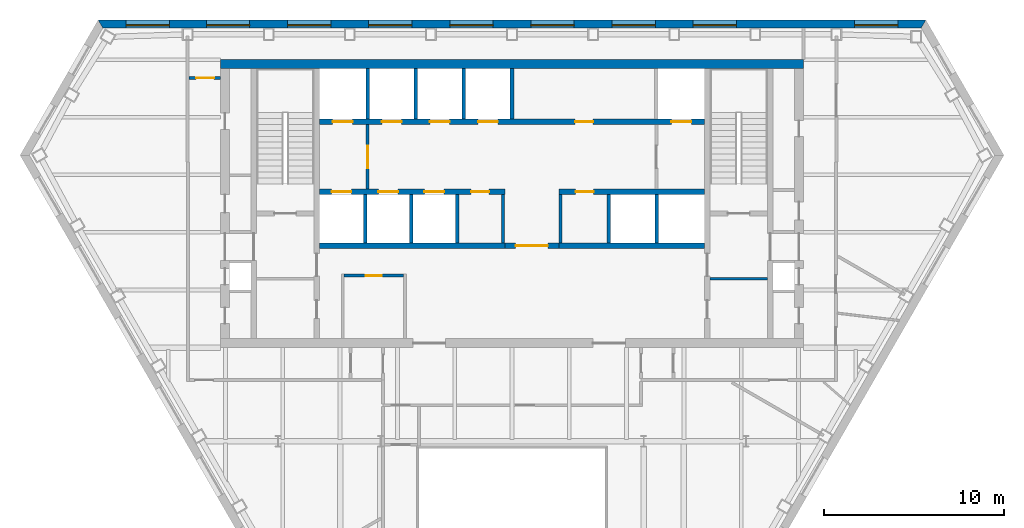
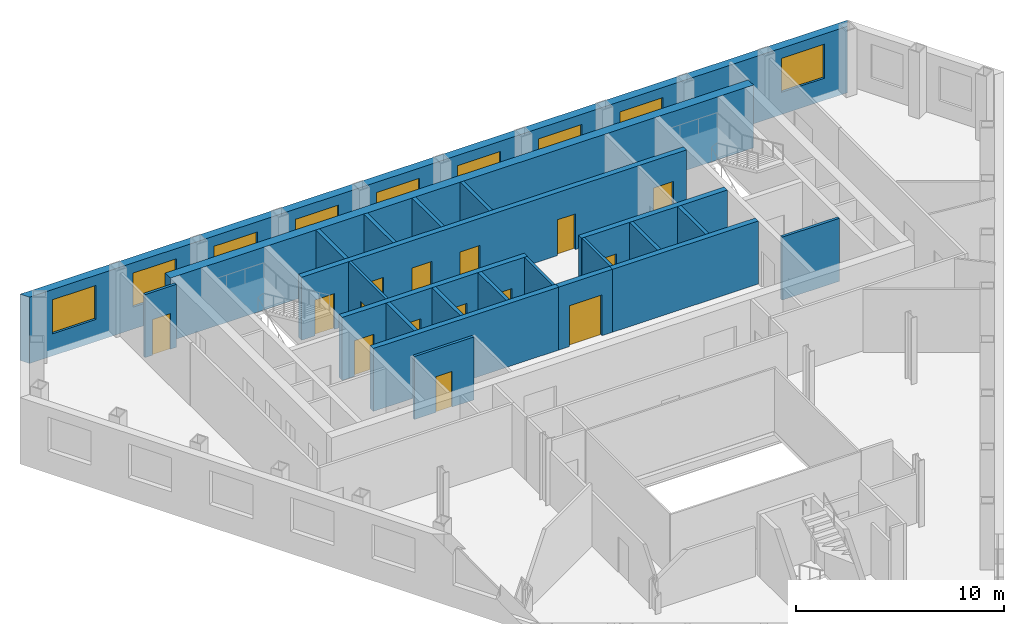
# One storey, part 6 of 10: 23 walls, 15 doors, 9 windows, 24 openings.
"""IFC4 building model written with IfcOpenShell, lengths in metres."""

from ifc_helpers import new_model, si_unit, direction, frame, frame_2d, origin, place, context, subcontext, project, spatial, polyline, rectangle, outline, extrude, material, layer, layer_set, type_object, element, fill, save


model = new_model("IFC4")

# Units and contexts
model_context = context("Model", 3, precision=1e-05, world=origin(), true_north=direction((0.0, 1.0)))
body_context = subcontext(model_context, "Body", "Model", "MODEL_VIEW")
ifc_project = project(units=[si_unit("LENGTHUNIT", "METRE"), si_unit("AREAUNIT", "SQUARE_METRE"), si_unit("VOLUMEUNIT", "CUBIC_METRE"), si_unit("PLANEANGLEUNIT", "RADIAN"), si_unit("MASSUNIT", "GRAM", prefix="KILO")], contexts=[model_context])

# Site, building, storey
site_placement = place(None, origin())
site = spatial("IfcSite", under=ifc_project, at=site_placement, CompositionType="ELEMENT")
building_placement = place(site_placement, origin())
building = spatial("IfcBuilding", under=site, at=building_placement, Name="Njiva Tower", CompositionType="ELEMENT")
storey_placement = place(building_placement, frame((0.0, 0.0, 155.4)))
storey = spatial("IfcBuildingStorey", under=building, at=storey_placement, Name="L33", CompositionType="ELEMENT", Elevation=155.4)

# Walls
ifc_material_1 = material(Name="Blockwork", Category="masonry")
ifc_layer_1 = layer(ifc_material_1, 0.15)
ifc_layer_set_1 = layer_set([ifc_layer_1], Name="Blockwork")
wall_type_1 = type_object("IfcWallType", Name="WT1 Compartment partition 150", PredefinedType="PARTITIONING", material=ifc_layer_set_1)
for number, where, z_axis, x_axis, name in (
    (1, (-0.5, 7.8, 0.0), (0.0, 0.0, 1.0), (0.0, 1.0, 0.0), "Partition CS4"),
    (2, (2.7, 7.8, 0.0), (0.0, 0.0, 1.0), (0.0, 1.0, 0.0), "Partition CS5"),
):
    element("IfcWall", number, at=place(storey_placement, frame(where, z_axis=z_axis, x_axis=x_axis)), inside=storey, type_object=wall_type_1, Name=name, PredefinedType="PARTITIONING", context=body_context, shape_type="SweptSolid", body=[
        extrude(rectangle(XDim=2.7, YDim=0.15, at=frame_2d((1.35, 0.0))), origin(), (0.0, 0.0, 1.0), 3.7),
    ])
wall_1_placement = place(storey_placement, frame((11.0, 5.825, 0.0), z_axis=(0.0, 0.0, 1.0), x_axis=(1.0, 0.0, 0.0)))
element("IfcWall", 3, at=wall_1_placement, inside=storey, type_object=wall_type_1, Name="Room wall B", PredefinedType="PARTITIONING", context=body_context, shape_type="SweptSolid", body=[
    extrude(rectangle(XDim=3.2, YDim=0.15, at=frame_2d((1.6, 0.0))), origin(), (0.0, 0.0, 1.0), 3.7),
])

# Wall, opening, door
wall_2_placement = place(storey_placement, frame((-9.325, 6.0, 0.0), z_axis=(0.0, 0.0, 1.0), x_axis=(1.0, 0.0, 0.0)))
wall_2 = element("IfcWall", 4, at=wall_2_placement, inside=storey, type_object=wall_type_1, Name="Information office wall north", PredefinedType="PARTITIONING", context=body_context, shape_type="SweptSolid", body=[
    extrude(rectangle(XDim=3.3, YDim=0.15, at=frame_2d((1.65, 0.0))), origin(), (0.0, 0.0, 1.0), 3.7),
])
opening_1_placement = place(wall_2_placement, frame((1.2, 0.0, 0.0)))
opening_1 = element("IfcOpeningElement", 5, at=opening_1_placement, cuts=wall_2, Name="Opening S11-D932", PredefinedType="OPENING", context=body_context, shape_type="SweptSolid", body=[
    extrude(rectangle(XDim=0.9, YDim=2.1, at=frame_2d((0.45, 1.05))), frame((0.0, 0.085, 0.0), z_axis=(0.0, -1.0, 0.0), x_axis=(1.0, 0.0, 0.0)), (0.0, 0.0, 1.0), 0.17),
])
ifc_material_2 = material(Name="Steel fire door, painted", Category="steel")
door_type_1 = type_object("IfcDoorType", Name="D6 Fire-rated door 900x2100", OperationType="SINGLE_SWING_LEFT", PredefinedType="DOOR", material=ifc_material_2)
door_1_placement = place(opening_1_placement, origin())
door_1 = element("IfcDoor", 6, at=door_1_placement, inside=storey, type_object=door_type_1, Name="Information office door", OperationType="SINGLE_SWING_RIGHT", OverallHeight=2.1, OverallWidth=0.9, PredefinedType="DOOR", context=body_context, shape_type="SweptSolid", body=[
    extrude(rectangle(XDim=0.9, YDim=2.1, at=frame_2d((0.45, 1.05))), frame((0.0, 0.025, 0.0), z_axis=(0.0, -1.0, 0.0), x_axis=(1.0, 0.0, 0.0)), (0.0, 0.0, 1.0), 0.05),
])
fill(opening_1, door_1)

# Wall
ifc_material_3 = material(Name="Concrete C60/75", Category="concrete")
ifc_layer_2 = layer(ifc_material_3, 0.5)
ifc_layer_set_2 = layer_set([ifc_layer_2], Name="Concrete C60/75")
wall_type_2 = type_object("IfcWallType", Name="WT13 Core wall 500", PredefinedType="SHEAR", material=ifc_layer_set_2)
wall_3_placement = place(storey_placement, frame((-16.2, 17.75, 0.0), z_axis=(0.0, 0.0, 1.0), x_axis=(1.0, 0.0, 0.0)))
element("IfcWall", 7, at=wall_3_placement, inside=storey, type_object=wall_type_2, Name="Core wall north", PredefinedType="SHEAR", context=body_context, shape_type="SweptSolid", body=[
    extrude(rectangle(XDim=32.4, YDim=0.5, at=frame_2d((16.2, 0.0))), origin(), (0.0, 0.0, 1.0), 3.7),
])

# Wall, opening, door
ifc_layer_3 = layer(ifc_material_1, 0.15)
ifc_layer_set_3 = layer_set([ifc_layer_3], Name="Blockwork")
wall_type_3 = type_object("IfcWallType", Name="WT2 Lobby partition 150", PredefinedType="PARTITIONING", material=ifc_layer_set_3)
wall_4_placement = place(storey_placement, frame((-8.025, 10.8, 0.0), z_axis=(0.0, 0.0, 1.0), x_axis=(0.0, 1.0, 0.0)))
wall_4 = element("IfcWall", 8, at=wall_4_placement, inside=storey, type_object=wall_type_3, Name="Firefighting lobby wall A", PredefinedType="PARTITIONING", context=body_context, shape_type="SweptSolid", body=[
    extrude(rectangle(XDim=3.6, YDim=0.15, at=frame_2d((1.8, 0.0))), origin(), (0.0, 0.0, 1.0), 3.7),
])
opening_2_placement = place(wall_4_placement, frame((1.175, 0.0, 0.0)))
opening_2 = element("IfcOpeningElement", 9, at=opening_2_placement, cuts=wall_4, Name="Opening S11-D912", PredefinedType="OPENING", context=body_context, shape_type="SweptSolid", body=[
    extrude(rectangle(XDim=1.25, YDim=2.1, at=frame_2d((0.625, 1.05))), frame((0.0, 0.085, 0.0), z_axis=(0.0, -1.0, 0.0), x_axis=(1.0, 0.0, 0.0)), (0.0, 0.0, 1.0), 0.17),
])
ifc_material_4 = material(Name="Glazed steel fire door", Category="steel")
door_type_2 = type_object("IfcDoorType", Name="D8 Vestibule corridor door 1250x2100 glazed", OperationType="SINGLE_SWING_LEFT", PredefinedType="DOOR", material=ifc_material_4)
door_2_placement = place(opening_2_placement, origin())
door_2 = element("IfcDoor", 10, at=door_2_placement, inside=storey, type_object=door_type_2, Name="Stair vestibule corridor door", OperationType="SINGLE_SWING_RIGHT", OverallHeight=2.1, OverallWidth=1.25, PredefinedType="DOOR", context=body_context, shape_type="SweptSolid", body=[
    extrude(rectangle(XDim=1.25, YDim=2.1, at=frame_2d((0.625, 1.05))), frame((0.0, 0.025, 0.0), z_axis=(0.0, -1.0, 0.0), x_axis=(1.0, 0.0, 0.0)), (0.0, 0.0, 1.0), 0.05),
])
fill(opening_2, door_2)

ifc_material_5 = material(Name="Gypsum board on steel studs", Category="gypsum")
ifc_layer_4 = layer(ifc_material_5, 0.15)
ifc_layer_set_4 = layer_set([ifc_layer_4], Name="Gypsum board on steel studs")
wall_type_4 = type_object("IfcWallType", Name="WT21 Compartment wall 150", PredefinedType="PARTITIONING", material=ifc_layer_set_4)
wall_5_placement = place(storey_placement, frame((-17.952, 16.977, 0.0), z_axis=(0.0, 0.0, 1.0), x_axis=(1.0, 0.0, 0.0)))
wall_5 = element("IfcWall", 11, at=wall_5_placement, inside=storey, type_object=wall_type_4, Name="Partition S11-P003", PredefinedType="PARTITIONING", context=body_context, shape_type="SweptSolid", body=[
    extrude(rectangle(XDim=1.752, YDim=0.15, at=frame_2d((0.876, 0.0))), origin(), (0.0, 0.0, 1.0), 3.7),
])
opening_3_placement = place(wall_5_placement, frame((0.401, 0.0, 0.0)))
opening_3 = element("IfcOpeningElement", 12, at=opening_3_placement, cuts=wall_5, Name="Opening S11-D001", PredefinedType="OPENING", context=body_context, shape_type="SweptSolid", body=[
    extrude(rectangle(XDim=1.0, YDim=2.1, at=frame_2d((0.5, 1.05))), frame((0.0, 0.085, 0.0), z_axis=(0.0, -1.0, 0.0), x_axis=(1.0, 0.0, 0.0)), (0.0, 0.0, 1.0), 0.17),
])
ifc_material_6 = material(Name="Steel fire door set", Category="steel")
door_type_3 = type_object("IfcDoorType", Name="D37 Fire door 1000x2100", OperationType="SINGLE_SWING_LEFT", PredefinedType="DOOR", material=ifc_material_6)
door_3_placement = place(opening_3_placement, origin())
door_3 = element("IfcDoor", 13, at=door_3_placement, inside=storey, type_object=door_type_3, Name="Door S11-D001", OperationType="SINGLE_SWING_LEFT", OverallHeight=2.1, OverallWidth=1.0, PredefinedType="DOOR", context=body_context, shape_type="SweptSolid", body=[
    extrude(rectangle(XDim=1.0, YDim=2.1, at=frame_2d((0.5, 1.05))), frame((0.0, 0.025, 0.0), z_axis=(0.0, -1.0, 0.0), x_axis=(1.0, 0.0, 0.0)), (0.0, 0.0, 1.0), 0.05),
])
fill(opening_3, door_3)

ifc_layer_5 = layer(ifc_material_1, 0.3)
ifc_layer_set_5 = layer_set([ifc_layer_5], Name="Blockwork")
wall_type_5 = type_object("IfcWallType", Name="WT5 Lobby partition 300", PredefinedType="PARTITIONING", material=ifc_layer_set_5)
wall_6_placement = place(storey_placement, frame((-0.4, 7.65, 0.0), z_axis=(0.0, 0.0, 1.0), x_axis=(1.0, 0.0, 0.0)))
wall_6 = element("IfcWall", 14, at=wall_6_placement, inside=storey, type_object=wall_type_5, Name="Lift lobby screen wall", PredefinedType="PARTITIONING", context=body_context, shape_type="SweptSolid", body=[
    extrude(rectangle(XDim=3.0, YDim=0.3, at=frame_2d((1.5, 0.0))), origin(), (0.0, 0.0, 1.0), 3.7),
])
opening_4_placement = place(wall_6_placement, frame((0.6, 0.0, 0.0)))
opening_4 = element("IfcOpeningElement", 15, at=opening_4_placement, cuts=wall_6, Name="Opening S11-D933", PredefinedType="OPENING", context=body_context, shape_type="SweptSolid", body=[
    extrude(rectangle(XDim=1.8, YDim=2.4, at=frame_2d((0.9, 1.2))), frame((0.0, 0.16, 0.0), z_axis=(0.0, -1.0, 0.0), x_axis=(1.0, 0.0, 0.0)), (0.0, 0.0, 1.0), 0.32),
])
ifc_material_7 = material(Name="Steel and glass door", Category="steel")
door_type_4 = type_object("IfcDoorType", Name="D3 Core entrance door 1800x2400", OperationType="DOUBLE_DOOR_SINGLE_SWING", PredefinedType="DOOR", material=ifc_material_7)
door_4_placement = place(opening_4_placement, origin())
door_4 = element("IfcDoor", 16, at=door_4_placement, inside=storey, type_object=door_type_4, Name="Core entrance door", OperationType="DOUBLE_DOOR_SINGLE_SWING", OverallHeight=2.4, OverallWidth=1.8, PredefinedType="DOOR", context=body_context, shape_type="SweptSolid", body=[
    extrude(rectangle(XDim=1.8, YDim=2.4, at=frame_2d((0.9, 1.2))), frame((0.0, 0.025, 0.0), z_axis=(0.0, -1.0, 0.0), x_axis=(1.0, 0.0, 0.0)), (0.0, 0.0, 1.0), 0.05),
])
fill(opening_4, door_4)

# Walls
ifc_material_8 = material(Name="Concrete C40/50", Category="concrete")
ifc_layer_6 = layer(ifc_material_8, 0.2)
ifc_layer_set_6 = layer_set([ifc_layer_6], Name="Concrete C40/50")
wall_type_6 = type_object("IfcWallType", Name="WT6 Lift shaft wall 200", PredefinedType="SHEAR", material=ifc_layer_set_6)
for number, where, z_axis, x_axis, name in (
    (17, (-8.025, 14.7, 0.0), (0.0, 0.0, 1.0), (0.0, 1.0, 0.0), "Shaft wall CN1"),
    (18, (-5.35, 14.7, 0.0), (0.0, 0.0, 1.0), (0.0, 1.0, 0.0), "Shaft wall CN2"),
    (19, (-2.675, 14.7, 0.0), (0.0, 0.0, 1.0), (0.0, 1.0, 0.0), "Shaft wall CN3"),
    (20, (0.0, 14.7, 0.0), (0.0, 0.0, 1.0), (0.0, 1.0, 0.0), "Shaft wall CN4"),
):
    element("IfcWall", number, at=place(storey_placement, frame(where, z_axis=z_axis, x_axis=x_axis)), inside=storey, type_object=wall_type_6, Name=name, PredefinedType="SHEAR", context=body_context, shape_type="SweptSolid", body=[
        extrude(rectangle(XDim=2.8, YDim=0.2, at=frame_2d((1.4, 0.0))), origin(), (0.0, 0.0, 1.0), 3.7),
    ])
for number, where, z_axis, x_axis, name in (
    (21, (-8.15, 7.8, 0.0), (0.0, 0.0, 1.0), (0.0, 1.0, 0.0), "Shaft wall CS1"),
    (22, (-5.6, 7.8, 0.0), (0.0, 0.0, 1.0), (0.0, 1.0, 0.0), "Shaft wall CS2"),
    (23, (-3.05, 7.8, 0.0), (0.0, 0.0, 1.0), (0.0, 1.0, 0.0), "Shaft wall CS3"),
    (24, (5.3667, 7.8, 0.0), (0.0, 0.0, 1.0), (0.0, 1.0, 0.0), "Shaft wall CS6"),
    (25, (8.0333, 7.8, 0.0), (0.0, 0.0, 1.0), (0.0, 1.0, 0.0), "Shaft wall CS7"),
):
    element("IfcWall", number, at=place(storey_placement, frame(where, z_axis=z_axis, x_axis=x_axis)), inside=storey, type_object=wall_type_6, Name=name, PredefinedType="SHEAR", context=body_context, shape_type="SweptSolid", body=[
        extrude(rectangle(XDim=2.7, YDim=0.2, at=frame_2d((1.35, 0.0))), origin(), (0.0, 0.0, 1.0), 3.7),
    ])

# Wall, openings, doors
ifc_layer_7 = layer(ifc_material_8, 0.3)
ifc_layer_set_7 = layer_set([ifc_layer_7], Name="Concrete C40/50")
wall_type_7 = type_object("IfcWallType", Name="WT7 Lift shaft wall 300", PredefinedType="SHEAR", material=ifc_layer_set_7)
wall_7_placement = place(storey_placement, frame((-10.7, 14.55, 0.0), z_axis=(0.0, 0.0, 1.0), x_axis=(1.0, 0.0, 0.0)))
wall_7 = element("IfcWall", 26, at=wall_7_placement, inside=storey, type_object=wall_type_7, Name="Shaft wall north row lobby side", PredefinedType="SHEAR", context=body_context, shape_type="SweptSolid", body=[
    extrude(rectangle(XDim=21.4, YDim=0.3, at=frame_2d((10.7, 0.0))), origin(), (0.0, 0.0, 1.0), 3.7),
])
opening_5_placement = place(wall_7_placement, frame((0.7375, 0.0, 0.0)))
opening_5 = element("IfcOpeningElement", 27, at=opening_5_placement, cuts=wall_7, Name="Opening S11-D901", PredefinedType="OPENING", context=body_context, shape_type="SweptSolid", body=[
    extrude(rectangle(XDim=1.1, YDim=2.1, at=frame_2d((0.55, 1.05))), frame((0.0, 0.16, 0.0), z_axis=(0.0, -1.0, 0.0), x_axis=(1.0, 0.0, 0.0)), (0.0, 0.0, 1.0), 0.32),
])
opening_6_placement = place(wall_7_placement, frame((3.4625, 0.0, 0.0)))
opening_6 = element("IfcOpeningElement", 28, at=opening_6_placement, cuts=wall_7, Name="Opening S11-D902", PredefinedType="OPENING", context=body_context, shape_type="SweptSolid", body=[
    extrude(rectangle(XDim=1.1, YDim=2.1, at=frame_2d((0.55, 1.05))), frame((0.0, 0.16, 0.0), z_axis=(0.0, -1.0, 0.0), x_axis=(1.0, 0.0, 0.0)), (0.0, 0.0, 1.0), 0.32),
])
opening_7_placement = place(wall_7_placement, frame((6.1375, 0.0, 0.0)))
opening_7 = element("IfcOpeningElement", 29, at=opening_7_placement, cuts=wall_7, Name="Opening S11-D903", PredefinedType="OPENING", context=body_context, shape_type="SweptSolid", body=[
    extrude(rectangle(XDim=1.1, YDim=2.1, at=frame_2d((0.55, 1.05))), frame((0.0, 0.16, 0.0), z_axis=(0.0, -1.0, 0.0), x_axis=(1.0, 0.0, 0.0)), (0.0, 0.0, 1.0), 0.32),
])
opening_8_placement = place(wall_7_placement, frame((8.8125, 0.0, 0.0)))
opening_8 = element("IfcOpeningElement", 30, at=opening_8_placement, cuts=wall_7, Name="Opening S11-D904", PredefinedType="OPENING", context=body_context, shape_type="SweptSolid", body=[
    extrude(rectangle(XDim=1.1, YDim=2.1, at=frame_2d((0.55, 1.05))), frame((0.0, 0.16, 0.0), z_axis=(0.0, -1.0, 0.0), x_axis=(1.0, 0.0, 0.0)), (0.0, 0.0, 1.0), 0.32),
])
opening_9_placement = place(wall_7_placement, frame((19.5625, 0.0, 0.0)))
opening_9 = element("IfcOpeningElement", 31, at=opening_9_placement, cuts=wall_7, Name="Opening S11-D905", PredefinedType="OPENING", context=body_context, shape_type="SweptSolid", body=[
    extrude(rectangle(XDim=1.1, YDim=2.1, at=frame_2d((0.55, 1.05))), frame((0.0, 0.16, 0.0), z_axis=(0.0, -1.0, 0.0), x_axis=(1.0, 0.0, 0.0)), (0.0, 0.0, 1.0), 0.32),
])
opening_10_placement = place(wall_7_placement, frame((14.2125, 0.0, 0.0)))
opening_10 = element("IfcOpeningElement", 32, at=opening_10_placement, cuts=wall_7, Name="Opening S11-D909", PredefinedType="OPENING", context=body_context, shape_type="SweptSolid", body=[
    extrude(rectangle(XDim=1.0, YDim=2.1, at=frame_2d((0.5, 1.05))), frame((0.0, 0.16, 0.0), z_axis=(0.0, -1.0, 0.0), x_axis=(1.0, 0.0, 0.0)), (0.0, 0.0, 1.0), 0.32),
])
ifc_material_9 = material(Name="Steel door, painted", Category="steel")
door_type_5 = type_object("IfcDoorType", Name="D5 Steel door 1000x2100", OperationType="SINGLE_SWING_LEFT", PredefinedType="DOOR", material=ifc_material_9)
door_5_placement = place(opening_10_placement, origin())
door_5 = element("IfcDoor", 33, at=door_5_placement, inside=storey, type_object=door_type_5, Name="Meeting room door", OperationType="SINGLE_SWING_LEFT", OverallHeight=2.1, OverallWidth=1.0, PredefinedType="DOOR", context=body_context, shape_type="SweptSolid", body=[
    extrude(rectangle(XDim=1.0, YDim=2.1, at=frame_2d((0.5, 1.05))), frame((0.0, 0.025, 0.0), z_axis=(0.0, -1.0, 0.0), x_axis=(1.0, 0.0, 0.0)), (0.0, 0.0, 1.0), 0.05),
])
fill(opening_10, door_5)
ifc_material_10 = material(Name="Stainless steel sliding door", Category="steel")
door_type_6 = type_object("IfcDoorType", Name="LD Lift landing door 1100x2100", OperationType="SLIDING_TO_LEFT", PredefinedType="DOOR", material=ifc_material_10)
door_6_placement = place(opening_5_placement, origin())
door_6 = element("IfcDoor", 34, at=door_6_placement, inside=storey, type_object=door_type_6, Name="Lift landing door FF1", OperationType="SLIDING_TO_LEFT", OverallHeight=2.1, OverallWidth=1.1, PredefinedType="DOOR", context=body_context, shape_type="SweptSolid", body=[
    extrude(rectangle(XDim=1.1, YDim=2.1, at=frame_2d((0.55, 1.05))), frame((0.0, 0.025, 0.0), z_axis=(0.0, -1.0, 0.0), x_axis=(1.0, 0.0, 0.0)), (0.0, 0.0, 1.0), 0.05),
])
fill(opening_5, door_6)
door_7_placement = place(opening_6_placement, origin())
door_7 = element("IfcDoor", 35, at=door_7_placement, inside=storey, type_object=door_type_6, Name="Lift landing door MB4", OperationType="SLIDING_TO_LEFT", OverallHeight=2.1, OverallWidth=1.1, PredefinedType="DOOR", context=body_context, shape_type="SweptSolid", body=[
    extrude(rectangle(XDim=1.1, YDim=2.1, at=frame_2d((0.55, 1.05))), frame((0.0, 0.025, 0.0), z_axis=(0.0, -1.0, 0.0), x_axis=(1.0, 0.0, 0.0)), (0.0, 0.0, 1.0), 0.05),
])
fill(opening_6, door_7)
door_8_placement = place(opening_7_placement, origin())
door_8 = element("IfcDoor", 36, at=door_8_placement, inside=storey, type_object=door_type_6, Name="Lift landing door MB5", OperationType="SLIDING_TO_LEFT", OverallHeight=2.1, OverallWidth=1.1, PredefinedType="DOOR", context=body_context, shape_type="SweptSolid", body=[
    extrude(rectangle(XDim=1.1, YDim=2.1, at=frame_2d((0.55, 1.05))), frame((0.0, 0.025, 0.0), z_axis=(0.0, -1.0, 0.0), x_axis=(1.0, 0.0, 0.0)), (0.0, 0.0, 1.0), 0.05),
])
fill(opening_7, door_8)
door_9_placement = place(opening_8_placement, origin())
door_9 = element("IfcDoor", 37, at=door_9_placement, inside=storey, type_object=door_type_6, Name="Lift landing door MB6", OperationType="SLIDING_TO_LEFT", OverallHeight=2.1, OverallWidth=1.1, PredefinedType="DOOR", context=body_context, shape_type="SweptSolid", body=[
    extrude(rectangle(XDim=1.1, YDim=2.1, at=frame_2d((0.55, 1.05))), frame((0.0, 0.025, 0.0), z_axis=(0.0, -1.0, 0.0), x_axis=(1.0, 0.0, 0.0)), (0.0, 0.0, 1.0), 0.05),
])
fill(opening_8, door_9)
door_10_placement = place(opening_9_placement, origin())
door_10 = element("IfcDoor", 38, at=door_10_placement, inside=storey, type_object=door_type_6, Name="Lift landing door FF2", OperationType="SLIDING_TO_LEFT", OverallHeight=2.1, OverallWidth=1.1, PredefinedType="DOOR", context=body_context, shape_type="SweptSolid", body=[
    extrude(rectangle(XDim=1.1, YDim=2.1, at=frame_2d((0.55, 1.05))), frame((0.0, 0.025, 0.0), z_axis=(0.0, -1.0, 0.0), x_axis=(1.0, 0.0, 0.0)), (0.0, 0.0, 1.0), 0.05),
])
fill(opening_9, door_10)

wall_8_placement = place(storey_placement, frame((-10.7, 10.65, 0.0), z_axis=(0.0, 0.0, 1.0), x_axis=(1.0, 0.0, 0.0)))
wall_8 = element("IfcWall", 39, at=wall_8_placement, inside=storey, type_object=wall_type_7, Name="Shaft wall south row lobby side W", PredefinedType="SHEAR", context=body_context, shape_type="SweptSolid", body=[
    extrude(rectangle(XDim=10.3, YDim=0.3, at=frame_2d((5.15, 0.0))), origin(), (0.0, 0.0, 1.0), 3.7),
])
opening_11_placement = place(wall_8_placement, frame((0.675, 0.0, 0.0)))
opening_11 = element("IfcOpeningElement", 40, at=opening_11_placement, cuts=wall_8, Name="Opening S11-D906", PredefinedType="OPENING", context=body_context, shape_type="SweptSolid", body=[
    extrude(rectangle(XDim=1.1, YDim=2.1, at=frame_2d((0.55, 1.05))), frame((0.0, 0.16, 0.0), z_axis=(0.0, -1.0, 0.0), x_axis=(1.0, 0.0, 0.0)), (0.0, 0.0, 1.0), 0.32),
])
opening_12_placement = place(wall_8_placement, frame((3.275, 0.0, 0.0)))
opening_12 = element("IfcOpeningElement", 41, at=opening_12_placement, cuts=wall_8, Name="Opening S11-D907", PredefinedType="OPENING", context=body_context, shape_type="SweptSolid", body=[
    extrude(rectangle(XDim=1.1, YDim=2.1, at=frame_2d((0.55, 1.05))), frame((0.0, 0.16, 0.0), z_axis=(0.0, -1.0, 0.0), x_axis=(1.0, 0.0, 0.0)), (0.0, 0.0, 1.0), 0.32),
])
opening_13_placement = place(wall_8_placement, frame((5.825, 0.0, 0.0)))
opening_13 = element("IfcOpeningElement", 42, at=opening_13_placement, cuts=wall_8, Name="Opening S11-D908", PredefinedType="OPENING", context=body_context, shape_type="SweptSolid", body=[
    extrude(rectangle(XDim=1.1, YDim=2.1, at=frame_2d((0.55, 1.05))), frame((0.0, 0.16, 0.0), z_axis=(0.0, -1.0, 0.0), x_axis=(1.0, 0.0, 0.0)), (0.0, 0.0, 1.0), 0.32),
])
opening_14_placement = place(wall_8_placement, frame((8.425, 0.0, 0.0)))
opening_14 = element("IfcOpeningElement", 43, at=opening_14_placement, cuts=wall_8, Name="Opening S11-D910", PredefinedType="OPENING", context=body_context, shape_type="SweptSolid", body=[
    extrude(rectangle(XDim=1.0, YDim=2.1, at=frame_2d((0.5, 1.05))), frame((0.0, 0.16, 0.0), z_axis=(0.0, -1.0, 0.0), x_axis=(1.0, 0.0, 0.0)), (0.0, 0.0, 1.0), 0.32),
])
door_11_placement = place(opening_14_placement, origin())
door_11 = element("IfcDoor", 44, at=door_11_placement, inside=storey, type_object=door_type_5, Name="First aid room door", OperationType="SINGLE_SWING_RIGHT", OverallHeight=2.1, OverallWidth=1.0, PredefinedType="DOOR", context=body_context, shape_type="SweptSolid", body=[
    extrude(rectangle(XDim=1.0, YDim=2.1, at=frame_2d((0.5, 1.05))), frame((0.0, 0.025, 0.0), z_axis=(0.0, -1.0, 0.0), x_axis=(1.0, 0.0, 0.0)), (0.0, 0.0, 1.0), 0.05),
])
fill(opening_14, door_11)
door_12_placement = place(opening_11_placement, origin())
door_12 = element("IfcDoor", 45, at=door_12_placement, inside=storey, type_object=door_type_6, Name="Lift landing door MB1", OperationType="SLIDING_TO_LEFT", OverallHeight=2.1, OverallWidth=1.1, PredefinedType="DOOR", context=body_context, shape_type="SweptSolid", body=[
    extrude(rectangle(XDim=1.1, YDim=2.1, at=frame_2d((0.55, 1.05))), frame((0.0, 0.025, 0.0), z_axis=(0.0, -1.0, 0.0), x_axis=(1.0, 0.0, 0.0)), (0.0, 0.0, 1.0), 0.05),
])
fill(opening_11, door_12)
door_13_placement = place(opening_12_placement, origin())
door_13 = element("IfcDoor", 46, at=door_13_placement, inside=storey, type_object=door_type_6, Name="Lift landing door MB2", OperationType="SLIDING_TO_LEFT", OverallHeight=2.1, OverallWidth=1.1, PredefinedType="DOOR", context=body_context, shape_type="SweptSolid", body=[
    extrude(rectangle(XDim=1.1, YDim=2.1, at=frame_2d((0.55, 1.05))), frame((0.0, 0.025, 0.0), z_axis=(0.0, -1.0, 0.0), x_axis=(1.0, 0.0, 0.0)), (0.0, 0.0, 1.0), 0.05),
])
fill(opening_12, door_13)
door_14_placement = place(opening_13_placement, origin())
door_14 = element("IfcDoor", 47, at=door_14_placement, inside=storey, type_object=door_type_6, Name="Lift landing door MB3", OperationType="SLIDING_TO_LEFT", OverallHeight=2.1, OverallWidth=1.1, PredefinedType="DOOR", context=body_context, shape_type="SweptSolid", body=[
    extrude(rectangle(XDim=1.1, YDim=2.1, at=frame_2d((0.55, 1.05))), frame((0.0, 0.025, 0.0), z_axis=(0.0, -1.0, 0.0), x_axis=(1.0, 0.0, 0.0)), (0.0, 0.0, 1.0), 0.05),
])
fill(opening_13, door_14)

# Wall
wall_9_placement = place(storey_placement, frame((-10.7, 7.65, 0.0), z_axis=(0.0, 0.0, 1.0), x_axis=(1.0, 0.0, 0.0)))
element("IfcWall", 48, at=wall_9_placement, inside=storey, type_object=wall_type_7, Name="Shaft wall south row back W", PredefinedType="SHEAR", context=body_context, shape_type="SweptSolid", body=[
    extrude(rectangle(XDim=10.3, YDim=0.3, at=frame_2d((5.15, 0.0))), origin(), (0.0, 0.0, 1.0), 3.7),
])

# Wall, opening, door
wall_10_placement = place(storey_placement, frame((2.6, 10.65, 0.0), z_axis=(0.0, 0.0, 1.0), x_axis=(1.0, 0.0, 0.0)))
wall_10 = element("IfcWall", 49, at=wall_10_placement, inside=storey, type_object=wall_type_7, Name="Shaft wall south row lobby side E", PredefinedType="SHEAR", context=body_context, shape_type="SweptSolid", body=[
    extrude(rectangle(XDim=8.1, YDim=0.3, at=frame_2d((4.05, 0.0))), origin(), (0.0, 0.0, 1.0), 3.7),
])
opening_15_placement = place(wall_10_placement, frame((0.9334, 0.0, 0.0)))
opening_15 = element("IfcOpeningElement", 50, at=opening_15_placement, cuts=wall_10, Name="Opening S11-D911", PredefinedType="OPENING", context=body_context, shape_type="SweptSolid", body=[
    extrude(rectangle(XDim=1.0, YDim=2.1, at=frame_2d((0.5, 1.05))), frame((0.0, 0.16, 0.0), z_axis=(0.0, -1.0, 0.0), x_axis=(1.0, 0.0, 0.0)), (0.0, 0.0, 1.0), 0.32),
])
door_15_placement = place(opening_15_placement, origin())
door_15 = element("IfcDoor", 51, at=door_15_placement, inside=storey, type_object=door_type_5, Name="Breakout room door", OperationType="SINGLE_SWING_LEFT", OverallHeight=2.1, OverallWidth=1.0, PredefinedType="DOOR", context=body_context, shape_type="SweptSolid", body=[
    extrude(rectangle(XDim=1.0, YDim=2.1, at=frame_2d((0.5, 1.05))), frame((0.0, 0.025, 0.0), z_axis=(0.0, -1.0, 0.0), x_axis=(1.0, 0.0, 0.0)), (0.0, 0.0, 1.0), 0.05),
])
fill(opening_15, door_15)

# Wall
wall_11_placement = place(storey_placement, frame((2.6, 7.65, 0.0), z_axis=(0.0, 0.0, 1.0), x_axis=(1.0, 0.0, 0.0)))
element("IfcWall", 52, at=wall_11_placement, inside=storey, type_object=wall_type_7, Name="Shaft wall south row back E", PredefinedType="SHEAR", context=body_context, shape_type="SweptSolid", body=[
    extrude(rectangle(XDim=8.1, YDim=0.3, at=frame_2d((4.05, 0.0))), origin(), (0.0, 0.0, 1.0), 3.7),
])

# Wall, openings, windows
ifc_material_11 = material(Name="Brick masonry", Category="masonry")
ifc_layer_8 = layer(ifc_material_11, 0.45)
ifc_layer_set_8 = layer_set([ifc_layer_8], Name="Brick masonry")
wall_type_8 = type_object("IfcWallType", Name="WT90 Brick pier and spandrel wall 450", PredefinedType="SOLIDWALL", material=ifc_layer_set_8)
wall_12_placement = place(storey_placement, frame((22.8651, 19.975, -0.4), z_axis=(0.0, 0.0, 1.0), x_axis=(-1.0, 0.0, 0.0)))
wall_12 = element("IfcWall", 53, at=wall_12_placement, inside=storey, type_object=wall_type_8, Name="Facade wall N", PredefinedType="SOLIDWALL", context=body_context, shape_type="SweptSolid", body=[
    extrude(outline(polyline([(-0.1299, -0.225), (45.8601, -0.225), (45.6003, 0.225), (0.1299, 0.225), (-0.1299, -0.225)])), origin(), (0.0, 0.0, 1.0), 3.9),
])
opening_16_placement = place(wall_12_placement, frame((1.4237, 0.0, 1.3)))
opening_16 = element("IfcOpeningElement", 54, at=opening_16_placement, cuts=wall_12, Name="Opening S11-W01", PredefinedType="OPENING", context=body_context, shape_type="SweptSolid", body=[
    extrude(rectangle(XDim=2.4, YDim=2.0, at=frame_2d((1.2, 1.0))), frame((0.0, 0.235, 0.0), z_axis=(0.0, -1.0, 0.0), x_axis=(1.0, 0.0, 0.0)), (0.0, 0.0, 1.0), 0.47),
])
opening_17_placement = place(wall_12_placement, frame((10.3985, 0.0, 1.3)))
opening_17 = element("IfcOpeningElement", 55, at=opening_17_placement, cuts=wall_12, Name="Opening S11-W02", PredefinedType="OPENING", context=body_context, shape_type="SweptSolid", body=[
    extrude(rectangle(XDim=2.4, YDim=2.0, at=frame_2d((1.2, 1.0))), frame((0.0, 0.235, 0.0), z_axis=(0.0, -1.0, 0.0), x_axis=(1.0, 0.0, 0.0)), (0.0, 0.0, 1.0), 0.47),
])
opening_18_placement = place(wall_12_placement, frame((14.9052, 0.0, 1.3)))
opening_18 = element("IfcOpeningElement", 56, at=opening_18_placement, cuts=wall_12, Name="Opening S11-W03", PredefinedType="OPENING", context=body_context, shape_type="SweptSolid", body=[
    extrude(rectangle(XDim=2.4, YDim=2.0, at=frame_2d((1.2, 1.0))), frame((0.0, 0.235, 0.0), z_axis=(0.0, -1.0, 0.0), x_axis=(1.0, 0.0, 0.0)), (0.0, 0.0, 1.0), 0.47),
])
opening_19_placement = place(wall_12_placement, frame((19.4118, 0.0, 1.3)))
opening_19 = element("IfcOpeningElement", 57, at=opening_19_placement, cuts=wall_12, Name="Opening S11-W04", PredefinedType="OPENING", context=body_context, shape_type="SweptSolid", body=[
    extrude(rectangle(XDim=2.4, YDim=2.0, at=frame_2d((1.2, 1.0))), frame((0.0, 0.235, 0.0), z_axis=(0.0, -1.0, 0.0), x_axis=(1.0, 0.0, 0.0)), (0.0, 0.0, 1.0), 0.47),
])
opening_20_placement = place(wall_12_placement, frame((23.9184, 0.0, 1.3)))
opening_20 = element("IfcOpeningElement", 58, at=opening_20_placement, cuts=wall_12, Name="Opening S11-W05", PredefinedType="OPENING", context=body_context, shape_type="SweptSolid", body=[
    extrude(rectangle(XDim=2.4, YDim=2.0, at=frame_2d((1.2, 1.0))), frame((0.0, 0.235, 0.0), z_axis=(0.0, -1.0, 0.0), x_axis=(1.0, 0.0, 0.0)), (0.0, 0.0, 1.0), 0.47),
])
opening_21_placement = place(wall_12_placement, frame((28.425, 0.0, 1.3)))
opening_21 = element("IfcOpeningElement", 59, at=opening_21_placement, cuts=wall_12, Name="Opening S11-W06", PredefinedType="OPENING", context=body_context, shape_type="SweptSolid", body=[
    extrude(rectangle(XDim=2.4, YDim=2.0, at=frame_2d((1.2, 1.0))), frame((0.0, 0.235, 0.0), z_axis=(0.0, -1.0, 0.0), x_axis=(1.0, 0.0, 0.0)), (0.0, 0.0, 1.0), 0.47),
])
opening_22_placement = place(wall_12_placement, frame((32.9316, 0.0, 1.3)))
opening_22 = element("IfcOpeningElement", 60, at=opening_22_placement, cuts=wall_12, Name="Opening S11-W07", PredefinedType="OPENING", context=body_context, shape_type="SweptSolid", body=[
    extrude(rectangle(XDim=2.4, YDim=2.0, at=frame_2d((1.2, 1.0))), frame((0.0, 0.235, 0.0), z_axis=(0.0, -1.0, 0.0), x_axis=(1.0, 0.0, 0.0)), (0.0, 0.0, 1.0), 0.47),
])
opening_23_placement = place(wall_12_placement, frame((37.4383, 0.0, 1.3)))
opening_23 = element("IfcOpeningElement", 61, at=opening_23_placement, cuts=wall_12, Name="Opening S11-W08", PredefinedType="OPENING", context=body_context, shape_type="SweptSolid", body=[
    extrude(rectangle(XDim=2.4, YDim=2.0, at=frame_2d((1.2, 1.0))), frame((0.0, 0.235, 0.0), z_axis=(0.0, -1.0, 0.0), x_axis=(1.0, 0.0, 0.0)), (0.0, 0.0, 1.0), 0.47),
])
opening_24_placement = place(wall_12_placement, frame((41.9065, 0.0, 1.3)))
opening_24 = element("IfcOpeningElement", 62, at=opening_24_placement, cuts=wall_12, Name="Opening S11-W09", PredefinedType="OPENING", context=body_context, shape_type="SweptSolid", body=[
    extrude(rectangle(XDim=2.4, YDim=2.0, at=frame_2d((1.2, 1.0))), frame((0.0, 0.235, 0.0), z_axis=(0.0, -1.0, 0.0), x_axis=(1.0, 0.0, 0.0)), (0.0, 0.0, 1.0), 0.47),
])
ifc_material_12 = material(Name="Clear glazing in aluminium frame", Category="aluminium")
window_type = type_object("IfcWindowType", Name="W90 Deep-set window 2400x2000", PartitioningType="SINGLE_PANEL", PredefinedType="WINDOW", material=ifc_material_12)
window_1_placement = place(opening_16_placement, origin())
window_1 = element("IfcWindow", 63, at=window_1_placement, inside=storey, type_object=window_type, Name="Window", OverallHeight=2.0, OverallWidth=2.4, PartitioningType="SINGLE_PANEL", PredefinedType="WINDOW", context=body_context, shape_type="SweptSolid", body=[
    extrude(rectangle(XDim=2.4, YDim=2.0, at=frame_2d((1.2, 1.0))), frame((0.0, 0.105, 0.0), z_axis=(0.0, -1.0, 0.0), x_axis=(1.0, 0.0, 0.0)), (0.0, 0.0, 1.0), 0.06),
])
fill(opening_16, window_1)
window_2_placement = place(opening_17_placement, origin())
window_2 = element("IfcWindow", 64, at=window_2_placement, inside=storey, type_object=window_type, Name="Window", OverallHeight=2.0, OverallWidth=2.4, PartitioningType="SINGLE_PANEL", PredefinedType="WINDOW", context=body_context, shape_type="SweptSolid", body=[
    extrude(rectangle(XDim=2.4, YDim=2.0, at=frame_2d((1.2, 1.0))), frame((0.0, 0.105, 0.0), z_axis=(0.0, -1.0, 0.0), x_axis=(1.0, 0.0, 0.0)), (0.0, 0.0, 1.0), 0.06),
])
fill(opening_17, window_2)
window_3_placement = place(opening_18_placement, origin())
window_3 = element("IfcWindow", 65, at=window_3_placement, inside=storey, type_object=window_type, Name="Window", OverallHeight=2.0, OverallWidth=2.4, PartitioningType="SINGLE_PANEL", PredefinedType="WINDOW", context=body_context, shape_type="SweptSolid", body=[
    extrude(rectangle(XDim=2.4, YDim=2.0, at=frame_2d((1.2, 1.0))), frame((0.0, 0.105, 0.0), z_axis=(0.0, -1.0, 0.0), x_axis=(1.0, 0.0, 0.0)), (0.0, 0.0, 1.0), 0.06),
])
fill(opening_18, window_3)
window_4_placement = place(opening_19_placement, origin())
window_4 = element("IfcWindow", 66, at=window_4_placement, inside=storey, type_object=window_type, Name="Window", OverallHeight=2.0, OverallWidth=2.4, PartitioningType="SINGLE_PANEL", PredefinedType="WINDOW", context=body_context, shape_type="SweptSolid", body=[
    extrude(rectangle(XDim=2.4, YDim=2.0, at=frame_2d((1.2, 1.0))), frame((0.0, 0.105, 0.0), z_axis=(0.0, -1.0, 0.0), x_axis=(1.0, 0.0, 0.0)), (0.0, 0.0, 1.0), 0.06),
])
fill(opening_19, window_4)
window_5_placement = place(opening_20_placement, origin())
window_5 = element("IfcWindow", 67, at=window_5_placement, inside=storey, type_object=window_type, Name="Window", OverallHeight=2.0, OverallWidth=2.4, PartitioningType="SINGLE_PANEL", PredefinedType="WINDOW", context=body_context, shape_type="SweptSolid", body=[
    extrude(rectangle(XDim=2.4, YDim=2.0, at=frame_2d((1.2, 1.0))), frame((0.0, 0.105, 0.0), z_axis=(0.0, -1.0, 0.0), x_axis=(1.0, 0.0, 0.0)), (0.0, 0.0, 1.0), 0.06),
])
fill(opening_20, window_5)
window_6_placement = place(opening_21_placement, origin())
window_6 = element("IfcWindow", 68, at=window_6_placement, inside=storey, type_object=window_type, Name="Window", OverallHeight=2.0, OverallWidth=2.4, PartitioningType="SINGLE_PANEL", PredefinedType="WINDOW", context=body_context, shape_type="SweptSolid", body=[
    extrude(rectangle(XDim=2.4, YDim=2.0, at=frame_2d((1.2, 1.0))), frame((0.0, 0.105, 0.0), z_axis=(0.0, -1.0, 0.0), x_axis=(1.0, 0.0, 0.0)), (0.0, 0.0, 1.0), 0.06),
])
fill(opening_21, window_6)
window_7_placement = place(opening_22_placement, origin())
window_7 = element("IfcWindow", 69, at=window_7_placement, inside=storey, type_object=window_type, Name="Window", OverallHeight=2.0, OverallWidth=2.4, PartitioningType="SINGLE_PANEL", PredefinedType="WINDOW", context=body_context, shape_type="SweptSolid", body=[
    extrude(rectangle(XDim=2.4, YDim=2.0, at=frame_2d((1.2, 1.0))), frame((0.0, 0.105, 0.0), z_axis=(0.0, -1.0, 0.0), x_axis=(1.0, 0.0, 0.0)), (0.0, 0.0, 1.0), 0.06),
])
fill(opening_22, window_7)
window_8_placement = place(opening_23_placement, origin())
window_8 = element("IfcWindow", 70, at=window_8_placement, inside=storey, type_object=window_type, Name="Window", OverallHeight=2.0, OverallWidth=2.4, PartitioningType="SINGLE_PANEL", PredefinedType="WINDOW", context=body_context, shape_type="SweptSolid", body=[
    extrude(rectangle(XDim=2.4, YDim=2.0, at=frame_2d((1.2, 1.0))), frame((0.0, 0.105, 0.0), z_axis=(0.0, -1.0, 0.0), x_axis=(1.0, 0.0, 0.0)), (0.0, 0.0, 1.0), 0.06),
])
fill(opening_23, window_8)
window_9_placement = place(opening_24_placement, origin())
window_9 = element("IfcWindow", 71, at=window_9_placement, inside=storey, type_object=window_type, Name="Window", OverallHeight=2.0, OverallWidth=2.4, PartitioningType="SINGLE_PANEL", PredefinedType="WINDOW", context=body_context, shape_type="SweptSolid", body=[
    extrude(rectangle(XDim=2.4, YDim=2.0, at=frame_2d((1.2, 1.0))), frame((0.0, 0.105, 0.0), z_axis=(0.0, -1.0, 0.0), x_axis=(1.0, 0.0, 0.0)), (0.0, 0.0, 1.0), 0.06),
])
fill(opening_24, window_9)

save(model, "model.ifc")
